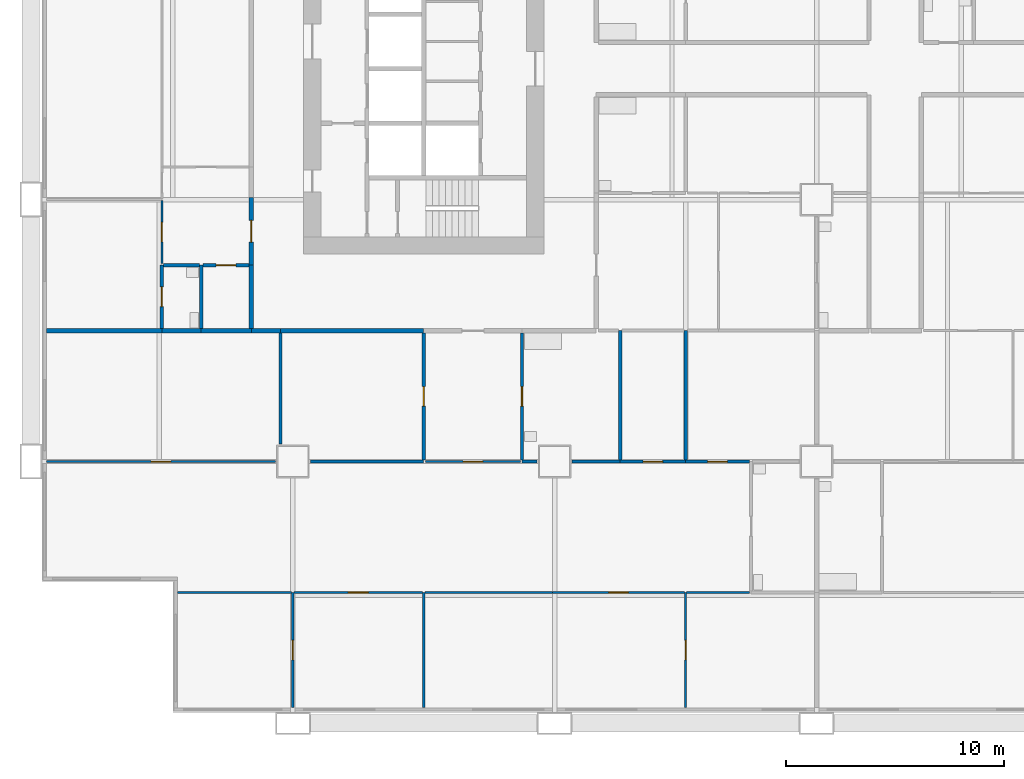
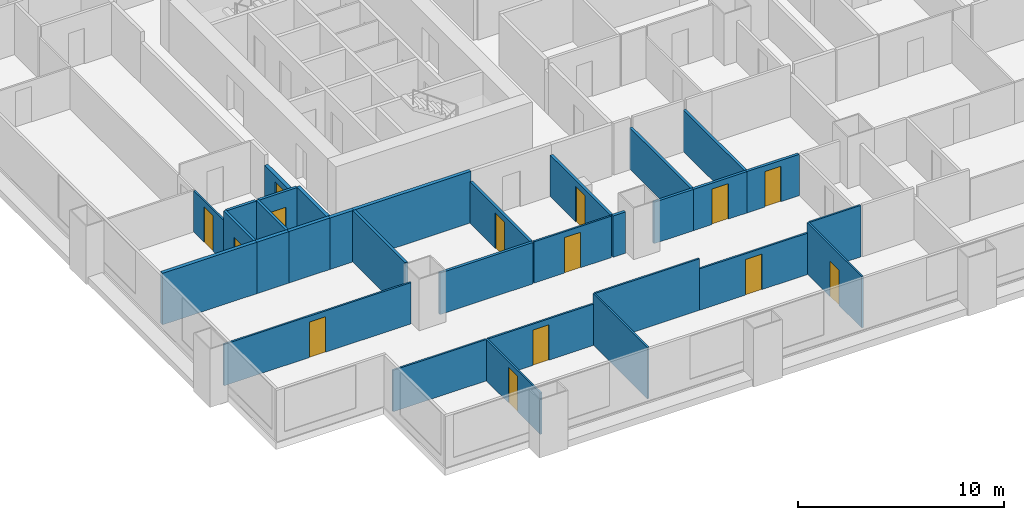
# One storey, part 2 of 13: 32 walls, 14 doors, 14 openings.
"""IFC4 building model written with IfcOpenShell, lengths in metres."""

from ifc_helpers import new_model, si_unit, direction, frame, frame_2d, origin, place, context, subcontext, project, spatial, rectangle, extrude, material, layer, layer_set, type_object, element, fill, save


model = new_model("IFC4")

# Units and contexts
model_context = context("Model", 3, precision=1e-05, world=origin(), true_north=direction((0.0, 1.0)))
body_context = subcontext(model_context, "Body", "Model", "MODEL_VIEW")
ifc_project = project(units=[si_unit("LENGTHUNIT", "METRE"), si_unit("AREAUNIT", "SQUARE_METRE"), si_unit("VOLUMEUNIT", "CUBIC_METRE"), si_unit("PLANEANGLEUNIT", "RADIAN"), si_unit("MASSUNIT", "GRAM", prefix="KILO")], contexts=[model_context])

# Site, building, storey
site_placement = place(None, origin())
site = spatial("IfcSite", under=ifc_project, at=site_placement, CompositionType="ELEMENT")
building_placement = place(site_placement, origin())
building = spatial("IfcBuilding", under=site, at=building_placement, Name="Kitamizu Gate Tower and Museum", CompositionType="ELEMENT")
storey_placement = place(building_placement, frame((0.0, 0.0, 78.300048828125)))
storey = spatial("IfcBuildingStorey", under=building, at=storey_placement, Name="L19", CompositionType="ELEMENT", Elevation=78.300048828125)

# Wall, opening, door
ifc_material_1 = material(Name="Gypsum board on galvanised stud")
ifc_layer_1 = layer(ifc_material_1, 0.10009765625)
ifc_layer_set_1 = layer_set([ifc_layer_1], Name="Gypsum board on galvanised stud")
wall_type_1 = type_object("IfcWallType", Name="Partition 100 NOT RATED", PredefinedType="PARTITIONING", material=ifc_layer_set_1)
wall_1_placement = place(storey_placement, frame((12.0, 0.719970703125, 0.0), z_axis=(0.0, 0.0, 1.0), x_axis=(0.0, 1.0, 0.0)))
wall_1 = element("IfcWall", 1, at=wall_1_placement, inside=storey, type_object=wall_type_1, Name="Partition L19-001", PredefinedType="PARTITIONING", context=body_context, shape_type="SweptSolid", body=[
    extrude(rectangle(XDim=5.280029296875, YDim=0.10009765625, at=frame_2d((2.64013671875, 0.0))), origin(), (0.0, 0.0, 1.0), 2.449951171875),
])
opening_1_placement = place(wall_1_placement, frame((2.18994140625, 0.0, 0.0)))
opening_1 = element("IfcOpeningElement", 2, at=opening_1_placement, cuts=wall_1, Name="Opening L19-005", PredefinedType="OPENING", context=body_context, shape_type="SweptSolid", body=[
    extrude(rectangle(XDim=0.89990234375, YDim=2.10009765625, at=frame_2d((0.449951171875, 1.050048828125))), frame((0.0, 0.06005859375, 0.0), z_axis=(0.0, -1.0, 0.0), x_axis=(1.0, 0.0, 0.0)), (0.0, 0.0, 1.0), 0.1201171875),
])
ifc_material_2 = material(Name="Timber door set", Category="wood")
door_type_1 = type_object("IfcDoorType", Name="Room door 900", OperationType="NOTDEFINED", PredefinedType="DOOR", material=ifc_material_2)
door_1_placement = place(opening_1_placement, origin())
door_1 = element("IfcDoor", 3, at=door_1_placement, inside=storey, type_object=door_type_1, Name="Door L19-005", OperationType="SINGLE_SWING_RIGHT", OverallHeight=2.10009765625, OverallWidth=0.89990234375, PredefinedType="DOOR", context=body_context, shape_type="SweptSolid", body=[
    extrude(rectangle(XDim=0.89990234375, YDim=2.10009765625, at=frame_2d((0.449951171875, 1.050048828125))), frame((0.0, 0.02490234375, 0.0), z_axis=(0.0, -1.0, 0.0), x_axis=(1.0, 0.0, 0.0)), (0.0, 0.0, 1.0), 0.050048828125),
])
fill(opening_1, door_1)

# Walls
wall_2_placement = place(storey_placement, frame((11.949951171875, 6.0, 0.0), z_axis=(0.0, 0.0, 1.0), x_axis=(-1.0, 0.0, 0.0)))
element("IfcWall", 4, at=wall_2_placement, inside=storey, type_object=wall_type_1, Name="Partition L19-002", PredefinedType="PARTITIONING", context=body_context, shape_type="SweptSolid", body=[
    extrude(rectangle(XDim=5.22998046875, YDim=0.10009765625, at=frame_2d((2.614990234375, 0.0))), origin(), (0.0, 0.0, 1.0), 2.449951171875),
])
wall_3_placement = place(storey_placement, frame((18.0, 0.719970703125, 0.0), z_axis=(0.0, 0.0, 1.0), x_axis=(0.0, 1.0, 0.0)))
element("IfcWall", 5, at=wall_3_placement, inside=storey, type_object=wall_type_1, Name="Partition L19-003", PredefinedType="PARTITIONING", context=body_context, shape_type="SweptSolid", body=[
    extrude(rectangle(XDim=5.280029296875, YDim=0.10009765625, at=frame_2d((2.64013671875, 0.0))), origin(), (0.0, 0.0, 1.0), 3.050048828125),
])

# Wall, opening, door
wall_4_placement = place(storey_placement, frame((17.949951171875, 6.0, 0.0), z_axis=(0.0, 0.0, 1.0), x_axis=(-1.0, 0.0, 0.0)))
wall_4 = element("IfcWall", 6, at=wall_4_placement, inside=storey, type_object=wall_type_1, Name="Partition L19-004", PredefinedType="PARTITIONING", context=body_context, shape_type="SweptSolid", body=[
    extrude(rectangle(XDim=5.89990234375, YDim=0.10009765625, at=frame_2d((2.949951171875, 0.0))), origin(), (0.0, 0.0, 1.0), 2.449951171875),
])
opening_2_placement = place(wall_4_placement, frame((2.5, 0.0, 0.0)))
opening_2 = element("IfcOpeningElement", 7, at=opening_2_placement, cuts=wall_4, Name="Opening L19-003", PredefinedType="OPENING", context=body_context, shape_type="SweptSolid", body=[
    extrude(rectangle(XDim=0.89990234375, YDim=2.10009765625, at=frame_2d((0.449951171875, 1.050048828125))), frame((0.0, 0.06005859375, 0.0), z_axis=(0.0, -1.0, 0.0), x_axis=(1.0, 0.0, 0.0)), (0.0, 0.0, 1.0), 0.1201171875),
])
door_2_placement = place(opening_2_placement, origin())
door_2 = element("IfcDoor", 8, at=door_2_placement, inside=storey, type_object=door_type_1, Name="Door L19-003", OperationType="SINGLE_SWING_RIGHT", OverallHeight=2.10009765625, OverallWidth=0.89990234375, PredefinedType="DOOR", context=body_context, shape_type="SweptSolid", body=[
    extrude(rectangle(XDim=0.89990234375, YDim=2.10009765625, at=frame_2d((0.449951171875, 1.050048828125))), frame((0.0, 0.02490234375, 0.0), z_axis=(0.0, -1.0, 0.0), x_axis=(1.0, 0.0, 0.0)), (0.0, 0.0, 1.0), 0.050048828125),
])
fill(opening_2, door_2)

wall_5_placement = place(storey_placement, frame((30.0, 0.719970703125, 0.0), z_axis=(0.0, 0.0, 1.0), x_axis=(0.0, 1.0, 0.0)))
wall_5 = element("IfcWall", 9, at=wall_5_placement, inside=storey, type_object=wall_type_1, Name="Partition L19-005", PredefinedType="PARTITIONING", context=body_context, shape_type="SweptSolid", body=[
    extrude(rectangle(XDim=5.280029296875, YDim=0.10009765625, at=frame_2d((2.64013671875, 0.0))), origin(), (0.0, 0.0, 1.0), 3.050048828125),
])
opening_3_placement = place(wall_5_placement, frame((2.18994140625, 0.0, 0.0)))
opening_3 = element("IfcOpeningElement", 10, at=opening_3_placement, cuts=wall_5, Name="Opening L19-006", PredefinedType="OPENING", context=body_context, shape_type="SweptSolid", body=[
    extrude(rectangle(XDim=0.89990234375, YDim=2.10009765625, at=frame_2d((0.449951171875, 1.050048828125))), frame((0.0, 0.06005859375, 0.0), z_axis=(0.0, -1.0, 0.0), x_axis=(1.0, 0.0, 0.0)), (0.0, 0.0, 1.0), 0.1201171875),
])
door_3_placement = place(opening_3_placement, frame((0.89990234375, 0.0, 0.0), x_axis=(-1.0, 0.0, 0.0)))
door_3 = element("IfcDoor", 11, at=door_3_placement, inside=storey, type_object=door_type_1, Name="Door L19-006", OperationType="SINGLE_SWING_RIGHT", OverallHeight=2.10009765625, OverallWidth=0.89990234375, PredefinedType="DOOR", context=body_context, shape_type="SweptSolid", body=[
    extrude(rectangle(XDim=0.89990234375, YDim=2.10009765625, at=frame_2d((0.449951171875, 1.050048828125))), frame((0.0, 0.02490234375, 0.0), z_axis=(0.0, -1.0, 0.0), x_axis=(1.0, 0.0, 0.0)), (0.0, 0.0, 1.0), 0.050048828125),
])
fill(opening_3, door_3)

wall_6_placement = place(storey_placement, frame((29.949951171875, 6.0, 0.0), z_axis=(0.0, 0.0, 1.0), x_axis=(-1.0, 0.0, 0.0)))
wall_6 = element("IfcWall", 12, at=wall_6_placement, inside=storey, type_object=wall_type_1, Name="Partition L19-006", PredefinedType="PARTITIONING", context=body_context, shape_type="SweptSolid", body=[
    extrude(rectangle(XDim=6.050048828125, YDim=0.10009765625, at=frame_2d((3.02490234375, 0.0))), origin(), (0.0, 0.0, 1.0), 2.449951171875),
])
opening_4_placement = place(wall_6_placement, frame((2.574951171875, 0.0, 0.0)))
opening_4 = element("IfcOpeningElement", 13, at=opening_4_placement, cuts=wall_6, Name="Opening L19-004", PredefinedType="OPENING", context=body_context, shape_type="SweptSolid", body=[
    extrude(rectangle(XDim=0.89990234375, YDim=2.10009765625, at=frame_2d((0.449951171875, 1.050048828125))), frame((0.0, 0.06005859375, 0.0), z_axis=(0.0, -1.0, 0.0), x_axis=(1.0, 0.0, 0.0)), (0.0, 0.0, 1.0), 0.1201171875),
])
door_4_placement = place(opening_4_placement, origin())
door_4 = element("IfcDoor", 14, at=door_4_placement, inside=storey, type_object=door_type_1, Name="Door L19-004", OperationType="SINGLE_SWING_LEFT", OverallHeight=2.10009765625, OverallWidth=0.89990234375, PredefinedType="DOOR", context=body_context, shape_type="SweptSolid", body=[
    extrude(rectangle(XDim=0.89990234375, YDim=2.10009765625, at=frame_2d((0.449951171875, 1.050048828125))), frame((0.0, 0.02490234375, 0.0), z_axis=(0.0, -1.0, 0.0), x_axis=(1.0, 0.0, 0.0)), (0.0, 0.0, 1.0), 0.050048828125),
])
fill(opening_4, door_4)

# Walls
wall_7_placement = place(storey_placement, frame((23.89990234375, 6.0, 0.0), z_axis=(0.0, 0.0, 1.0), x_axis=(-1.0, 0.0, 0.0)))
element("IfcWall", 15, at=wall_7_placement, inside=storey, type_object=wall_type_1, Name="Partition L19-007", PredefinedType="PARTITIONING", context=body_context, shape_type="SweptSolid", body=[
    extrude(rectangle(XDim=5.849853515625, YDim=0.10009765625, at=frame_2d((2.9248046875, 0.0))), origin(), (0.0, 0.0, 1.0), 3.050048828125),
])
wall_8_placement = place(storey_placement, frame((32.925048828125, 6.0, 0.0), z_axis=(0.0, 0.0, 1.0), x_axis=(-1.0, 0.0, 0.0)))
element("IfcWall", 16, at=wall_8_placement, inside=storey, type_object=wall_type_1, Name="Partition L19-008", PredefinedType="PARTITIONING", context=body_context, shape_type="SweptSolid", body=[
    extrude(rectangle(XDim=2.875, YDim=0.10009765625, at=frame_2d((1.4375, 0.0))), origin(), (0.0, 0.0, 1.0), 3.050048828125),
])

# Wall, opening, door
wall_9_placement = place(storey_placement, frame((11.199951171875, 12.0, 0.0), z_axis=(0.0, 0.0, 1.0), x_axis=(-1.0, 0.0, 0.0)))
wall_9 = element("IfcWall", 17, at=wall_9_placement, inside=storey, type_object=wall_type_1, Name="Partition L19-012", PredefinedType="PARTITIONING", context=body_context, shape_type="SweptSolid", body=[
    extrude(rectangle(XDim=10.47998046875, YDim=0.10009765625, at=frame_2d((5.239990234375, 0.0))), origin(), (0.0, 0.0, 1.0), 2.449951171875),
])
opening_5_placement = place(wall_9_placement, frame((4.7900390625, 0.0, 0.0)))
opening_5 = element("IfcOpeningElement", 18, at=opening_5_placement, cuts=wall_9, Name="Opening L19-008", PredefinedType="OPENING", context=body_context, shape_type="SweptSolid", body=[
    extrude(rectangle(XDim=0.89990234375, YDim=2.10009765625, at=frame_2d((0.449951171875, 1.050048828125))), frame((0.0, 0.06005859375, 0.0), z_axis=(0.0, -1.0, 0.0), x_axis=(1.0, 0.0, 0.0)), (0.0, 0.0, 1.0), 0.1201171875),
])
door_5_placement = place(opening_5_placement, frame((0.89990234375, 0.0, 0.0), x_axis=(-1.0, 0.0, 0.0)))
door_5 = element("IfcDoor", 19, at=door_5_placement, inside=storey, type_object=door_type_1, Name="Door L19-008", OperationType="SINGLE_SWING_RIGHT", OverallHeight=2.10009765625, OverallWidth=0.89990234375, PredefinedType="DOOR", context=body_context, shape_type="SweptSolid", body=[
    extrude(rectangle(XDim=0.89990234375, YDim=2.10009765625, at=frame_2d((0.449951171875, 1.050048828125))), frame((0.0, 0.02490234375, 0.0), z_axis=(0.0, -1.0, 0.0), x_axis=(1.0, 0.0, 0.0)), (0.0, 0.0, 1.0), 0.050048828125),
])
fill(opening_5, door_5)

wall_10_placement = place(storey_placement, frame((22.425048828125, 12.0, 0.0), z_axis=(0.0, 0.0, 1.0), x_axis=(-1.0, 0.0, 0.0)))
wall_10 = element("IfcWall", 20, at=wall_10_placement, inside=storey, type_object=wall_type_1, Name="Partition L19-014", PredefinedType="PARTITIONING", context=body_context, shape_type="SweptSolid", body=[
    extrude(rectangle(XDim=4.35009765625, YDim=0.10009765625, at=frame_2d((2.175048828125, 0.0))), origin(), (0.0, 0.0, 1.0), 2.449951171875),
])
opening_6_placement = place(wall_10_placement, frame((1.72509765625, 0.0, 0.0)))
opening_6 = element("IfcOpeningElement", 21, at=opening_6_placement, cuts=wall_10, Name="Opening L19-002", PredefinedType="OPENING", context=body_context, shape_type="SweptSolid", body=[
    extrude(rectangle(XDim=0.89990234375, YDim=2.10009765625, at=frame_2d((0.449951171875, 1.050048828125))), frame((0.0, 0.06005859375, 0.0), z_axis=(0.0, -1.0, 0.0), x_axis=(1.0, 0.0, 0.0)), (0.0, 0.0, 1.0), 0.1201171875),
])
door_6_placement = place(opening_6_placement, frame((0.89990234375, 0.0, 0.0), x_axis=(-1.0, 0.0, 0.0)))
door_6 = element("IfcDoor", 22, at=door_6_placement, inside=storey, type_object=door_type_1, Name="Door L19-002", OperationType="SINGLE_SWING_RIGHT", OverallHeight=2.10009765625, OverallWidth=0.89990234375, PredefinedType="DOOR", context=body_context, shape_type="SweptSolid", body=[
    extrude(rectangle(XDim=0.89990234375, YDim=2.10009765625, at=frame_2d((0.449951171875, 1.050048828125))), frame((0.0, 0.02490234375, 0.0), z_axis=(0.0, -1.0, 0.0), x_axis=(1.0, 0.0, 0.0)), (0.0, 0.0, 1.0), 0.050048828125),
])
fill(opening_6, door_6)

wall_11_placement = place(storey_placement, frame((6.0, 21.074951171875, 0.0), z_axis=(0.0, 0.0, 1.0), x_axis=(0.0, 1.0, 0.0)))
wall_11 = element("IfcWall", 23, at=wall_11_placement, inside=storey, type_object=wall_type_1, Name="Partition L19-056", PredefinedType="PARTITIONING", context=body_context, shape_type="SweptSolid", body=[
    extrude(rectangle(XDim=2.875, YDim=0.10009765625, at=frame_2d((1.4375, 0.0))), origin(), (0.0, 0.0, 1.0), 2.449951171875),
])
opening_7_placement = place(wall_11_placement, frame((0.987548828125, 0.0, 0.0)))
opening_7 = element("IfcOpeningElement", 24, at=opening_7_placement, cuts=wall_11, Name="Opening L19-019", PredefinedType="OPENING", context=body_context, shape_type="SweptSolid", body=[
    extrude(rectangle(XDim=0.89990234375, YDim=2.10009765625, at=frame_2d((0.449951171875, 1.050048828125))), frame((0.0, 0.06005859375, 0.0), z_axis=(0.0, -1.0, 0.0), x_axis=(1.0, 0.0, 0.0)), (0.0, 0.0, 1.0), 0.1201171875),
])
door_7_placement = place(opening_7_placement, origin())
door_7 = element("IfcDoor", 25, at=door_7_placement, inside=storey, type_object=door_type_1, Name="Door L19-019", OperationType="SINGLE_SWING_LEFT", OverallHeight=2.10009765625, OverallWidth=0.89990234375, PredefinedType="DOOR", context=body_context, shape_type="SweptSolid", body=[
    extrude(rectangle(XDim=0.89990234375, YDim=2.10009765625, at=frame_2d((0.449951171875, 1.050048828125))), frame((0.0, 0.02490234375, 0.0), z_axis=(0.0, -1.0, 0.0), x_axis=(1.0, 0.0, 0.0)), (0.0, 0.0, 1.0), 0.050048828125),
])
fill(opening_7, door_7)

# Walls
ifc_material_3 = material(Name="Gypsum board on galvanised stud")
ifc_layer_2 = layer(ifc_material_3, 0.14990234375)
ifc_layer_set_2 = layer_set([ifc_layer_2], Name="Gypsum board on galvanised stud")
wall_type_2 = type_object("IfcWallType", Name="Partition 150", PredefinedType="PARTITIONING", material=ifc_layer_set_2)
wall_12_placement = place(storey_placement, frame((18.0, 12.0, 0.0), z_axis=(0.0, 0.0, 1.0), x_axis=(-1.0, 0.0, 0.0)))
element("IfcWall", 26, at=wall_12_placement, inside=storey, type_object=wall_type_2, Name="Partition L19-013", PredefinedType="PARTITIONING", context=body_context, shape_type="SweptSolid", body=[
    extrude(rectangle(XDim=5.199951171875, YDim=0.14990234375, at=frame_2d((2.60009765625, 0.0))), origin(), (0.0, 0.0, 1.0), 2.449951171875),
])
wall_13_placement = place(storey_placement, frame((23.199951171875, 12.0, 0.0), z_axis=(0.0, 0.0, 1.0), x_axis=(-1.0, 0.0, 0.0)))
element("IfcWall", 27, at=wall_13_placement, inside=storey, type_object=wall_type_2, Name="Partition L19-015", PredefinedType="PARTITIONING", context=body_context, shape_type="SweptSolid", body=[
    extrude(rectangle(XDim=0.699951171875, YDim=0.14990234375, at=frame_2d((0.35009765625, 0.0))), origin(), (0.0, 0.0, 1.0), 2.449951171875),
])
wall_14_placement = place(storey_placement, frame((27.0, 12.0, 0.0), z_axis=(0.0, 0.0, 1.0), x_axis=(-1.0, 0.0, 0.0)))
element("IfcWall", 28, at=wall_14_placement, inside=storey, type_object=wall_type_2, Name="Partition L19-016", PredefinedType="PARTITIONING", context=body_context, shape_type="SweptSolid", body=[
    extrude(rectangle(XDim=2.199951171875, YDim=0.14990234375, at=frame_2d((1.10009765625, 0.0))), origin(), (0.0, 0.0, 1.0), 2.449951171875),
])

# Wall, opening, door
wall_15_placement = place(storey_placement, frame((30.0, 12.0, 0.0), z_axis=(0.0, 0.0, 1.0), x_axis=(-1.0, 0.0, 0.0)))
wall_15 = element("IfcWall", 29, at=wall_15_placement, inside=storey, type_object=wall_type_2, Name="Partition L19-017", PredefinedType="PARTITIONING", context=body_context, shape_type="SweptSolid", body=[
    extrude(rectangle(XDim=3.0, YDim=0.14990234375, at=frame_2d((1.5, 0.0))), origin(), (0.0, 0.0, 1.0), 2.449951171875),
])
opening_8_placement = place(wall_15_placement, frame((1.050048828125, 0.0, 0.0)))
opening_8 = element("IfcOpeningElement", 30, at=opening_8_placement, cuts=wall_15, Name="Opening L19-011", PredefinedType="OPENING", context=body_context, shape_type="SweptSolid", body=[
    extrude(rectangle(XDim=0.89990234375, YDim=2.10009765625, at=frame_2d((0.449951171875, 1.050048828125))), frame((0.0, 0.0849609375, 0.0), z_axis=(0.0, -1.0, 0.0), x_axis=(1.0, 0.0, 0.0)), (0.0, 0.0, 1.0), 0.169921875),
])
ifc_material_4 = material(Name="Timber door set", Category="wood")
door_type_2 = type_object("IfcDoorType", Name="Bathroom door 900", OperationType="NOTDEFINED", PredefinedType="DOOR", material=ifc_material_4)
door_8_placement = place(opening_8_placement, frame((0.89990234375, 0.0, 0.0), x_axis=(-1.0, 0.0, 0.0)))
door_8 = element("IfcDoor", 31, at=door_8_placement, inside=storey, type_object=door_type_2, Name="Bathroom door L19-011", OperationType="SINGLE_SWING_LEFT", OverallHeight=2.10009765625, OverallWidth=0.89990234375, PredefinedType="DOOR", context=body_context, shape_type="SweptSolid", body=[
    extrude(rectangle(XDim=0.89990234375, YDim=2.10009765625, at=frame_2d((0.449951171875, 1.050048828125))), frame((0.0, 0.02490234375, 0.0), z_axis=(0.0, -1.0, 0.0), x_axis=(1.0, 0.0, 0.0)), (0.0, 0.0, 1.0), 0.050048828125),
])
fill(opening_8, door_8)

wall_16_placement = place(storey_placement, frame((32.925048828125, 12.0, 0.0), z_axis=(0.0, 0.0, 1.0), x_axis=(-1.0, 0.0, 0.0)))
wall_16 = element("IfcWall", 32, at=wall_16_placement, inside=storey, type_object=wall_type_2, Name="Partition L19-018", PredefinedType="PARTITIONING", context=body_context, shape_type="SweptSolid", body=[
    extrude(rectangle(XDim=2.925048828125, YDim=0.14990234375, at=frame_2d((1.46240234375, 0.0))), origin(), (0.0, 0.0, 1.0), 2.449951171875),
])
opening_9_placement = place(wall_16_placement, frame((1.012451171875, 0.0, 0.0)))
opening_9 = element("IfcOpeningElement", 33, at=opening_9_placement, cuts=wall_16, Name="Opening L19-012", PredefinedType="OPENING", context=body_context, shape_type="SweptSolid", body=[
    extrude(rectangle(XDim=0.89990234375, YDim=2.10009765625, at=frame_2d((0.449951171875, 1.050048828125))), frame((0.0, 0.0849609375, 0.0), z_axis=(0.0, -1.0, 0.0), x_axis=(1.0, 0.0, 0.0)), (0.0, 0.0, 1.0), 0.169921875),
])
door_9_placement = place(opening_9_placement, frame((0.89990234375, 0.0, 0.0), x_axis=(-1.0, 0.0, 0.0)))
door_9 = element("IfcDoor", 34, at=door_9_placement, inside=storey, type_object=door_type_2, Name="Bathroom door L19-012", OperationType="SINGLE_SWING_RIGHT", OverallHeight=2.10009765625, OverallWidth=0.89990234375, PredefinedType="DOOR", context=body_context, shape_type="SweptSolid", body=[
    extrude(rectangle(XDim=0.89990234375, YDim=2.10009765625, at=frame_2d((0.449951171875, 1.050048828125))), frame((0.0, 0.02490234375, 0.0), z_axis=(0.0, -1.0, 0.0), x_axis=(1.0, 0.0, 0.0)), (0.0, 0.0, 1.0), 0.050048828125),
])
fill(opening_9, door_9)

# Wall
wall_17_placement = place(storey_placement, frame((11.43408203125, 12.800048828125, 0.0), z_axis=(0.0, 0.0, 1.0), x_axis=(0.0, 1.0, 0.0)))
element("IfcWall", 35, at=wall_17_placement, inside=storey, type_object=wall_type_2, Name="Partition L19-021", PredefinedType="PARTITIONING", context=body_context, shape_type="SweptSolid", body=[
    extrude(rectangle(XDim=5.099853515625, YDim=0.14990234375, at=frame_2d((2.5498046875, 0.0))), origin(), (0.0, 0.0, 1.0), 3.050048828125),
])

# Wall, opening, door
wall_18_placement = place(storey_placement, frame((18.0, 12.074951171875, 0.0), z_axis=(0.0, 0.0, 1.0), x_axis=(0.0, 1.0, 0.0)))
wall_18 = element("IfcWall", 36, at=wall_18_placement, inside=storey, type_object=wall_type_2, Name="Partition L19-026", PredefinedType="PARTITIONING", context=body_context, shape_type="SweptSolid", body=[
    extrude(rectangle(XDim=5.824951171875, YDim=0.14990234375, at=frame_2d((2.91259765625, 0.0))), origin(), (0.0, 0.0, 1.0), 2.449951171875),
])
opening_10_placement = place(wall_18_placement, frame((2.46240234375, 0.0, 0.0)))
opening_10 = element("IfcOpeningElement", 37, at=opening_10_placement, cuts=wall_18, Name="Opening L19-009", PredefinedType="OPENING", context=body_context, shape_type="SweptSolid", body=[
    extrude(rectangle(XDim=0.89990234375, YDim=2.10009765625, at=frame_2d((0.449951171875, 1.050048828125))), frame((0.0, 0.0849609375, 0.0), z_axis=(0.0, -1.0, 0.0), x_axis=(1.0, 0.0, 0.0)), (0.0, 0.0, 1.0), 0.169921875),
])
door_10_placement = place(opening_10_placement, origin())
door_10 = element("IfcDoor", 38, at=door_10_placement, inside=storey, type_object=door_type_2, Name="Bathroom door L19-009", OperationType="SINGLE_SWING_RIGHT", OverallHeight=2.10009765625, OverallWidth=0.89990234375, PredefinedType="DOOR", context=body_context, shape_type="SweptSolid", body=[
    extrude(rectangle(XDim=0.89990234375, YDim=2.10009765625, at=frame_2d((0.449951171875, 1.050048828125))), frame((0.0, 0.02490234375, 0.0), z_axis=(0.0, -1.0, 0.0), x_axis=(1.0, 0.0, 0.0)), (0.0, 0.0, 1.0), 0.050048828125),
])
fill(opening_10, door_10)

wall_19_placement = place(storey_placement, frame((22.5, 12.074951171875, 0.0), z_axis=(0.0, 0.0, 1.0), x_axis=(0.0, 1.0, 0.0)))
wall_19 = element("IfcWall", 39, at=wall_19_placement, inside=storey, type_object=wall_type_2, Name="Partition L19-028", PredefinedType="PARTITIONING", context=body_context, shape_type="SweptSolid", body=[
    extrude(rectangle(XDim=5.824951171875, YDim=0.14990234375, at=frame_2d((2.91259765625, 0.0))), origin(), (0.0, 0.0, 1.0), 2.449951171875),
])
opening_11_placement = place(wall_19_placement, frame((2.46240234375, 0.0, 0.0)))
opening_11 = element("IfcOpeningElement", 40, at=opening_11_placement, cuts=wall_19, Name="Opening L19-010", PredefinedType="OPENING", context=body_context, shape_type="SweptSolid", body=[
    extrude(rectangle(XDim=0.89990234375, YDim=2.10009765625, at=frame_2d((0.449951171875, 1.050048828125))), frame((0.0, 0.0849609375, 0.0), z_axis=(0.0, -1.0, 0.0), x_axis=(1.0, 0.0, 0.0)), (0.0, 0.0, 1.0), 0.169921875),
])
door_11_placement = place(opening_11_placement, frame((0.89990234375, 0.0, 0.0), x_axis=(-1.0, 0.0, 0.0)))
door_11 = element("IfcDoor", 41, at=door_11_placement, inside=storey, type_object=door_type_2, Name="Bathroom door L19-010", OperationType="SINGLE_SWING_RIGHT", OverallHeight=2.10009765625, OverallWidth=0.89990234375, PredefinedType="DOOR", context=body_context, shape_type="SweptSolid", body=[
    extrude(rectangle(XDim=0.89990234375, YDim=2.10009765625, at=frame_2d((0.449951171875, 1.050048828125))), frame((0.0, 0.02490234375, 0.0), z_axis=(0.0, -1.0, 0.0), x_axis=(1.0, 0.0, 0.0)), (0.0, 0.0, 1.0), 0.050048828125),
])
fill(opening_11, door_11)

# Walls
for number, where, z_axis, x_axis, name in (
    (42, (27.0, 12.074951171875, 0.0), (0.0, 0.0, 1.0), (0.0, 1.0, 0.0), "Partition L19-030"),
    (43, (30.0, 12.074951171875, 0.0), (0.0, 0.0, 1.0), (0.0, 1.0, 0.0), "Partition L19-033"),
):
    element("IfcWall", number, at=place(storey_placement, frame(where, z_axis=z_axis, x_axis=x_axis)), inside=storey, type_object=wall_type_2, Name=name, PredefinedType="PARTITIONING", context=body_context, shape_type="SweptSolid", body=[
        extrude(rectangle(XDim=5.925048828125, YDim=0.14990234375, at=frame_2d((2.96240234375, 0.0))), origin(), (0.0, 0.0, 1.0), 2.449951171875),
    ])

# Wall, opening, door
wall_20_placement = place(storey_placement, frame((6.0, 18.10009765625, 0.0), z_axis=(0.0, 0.0, 1.0), x_axis=(0.0, 1.0, 0.0)))
wall_20 = element("IfcWall", 44, at=wall_20_placement, inside=storey, type_object=wall_type_2, Name="Partition L19-055", PredefinedType="PARTITIONING", context=body_context, shape_type="SweptSolid", body=[
    extrude(rectangle(XDim=2.89990234375, YDim=0.14990234375, at=frame_2d((1.449951171875, 0.0))), origin(), (0.0, 0.0, 1.0), 3.050048828125),
])
opening_12_placement = place(wall_20_placement, frame((1.0, 0.0, 0.0)))
opening_12 = element("IfcOpeningElement", 45, at=opening_12_placement, cuts=wall_20, Name="Opening L19-023", PredefinedType="OPENING", context=body_context, shape_type="SweptSolid", body=[
    extrude(rectangle(XDim=0.89990234375, YDim=2.10009765625, at=frame_2d((0.449951171875, 1.050048828125))), frame((0.0, 0.0849609375, 0.0), z_axis=(0.0, -1.0, 0.0), x_axis=(1.0, 0.0, 0.0)), (0.0, 0.0, 1.0), 0.169921875),
])
door_12_placement = place(opening_12_placement, frame((0.89990234375, 0.0, 0.0), x_axis=(-1.0, 0.0, 0.0)))
door_12 = element("IfcDoor", 46, at=door_12_placement, inside=storey, type_object=door_type_2, Name="Bathroom door L19-023", OperationType="SINGLE_SWING_LEFT", OverallHeight=2.10009765625, OverallWidth=0.89990234375, PredefinedType="DOOR", context=body_context, shape_type="SweptSolid", body=[
    extrude(rectangle(XDim=0.89990234375, YDim=2.10009765625, at=frame_2d((0.449951171875, 1.050048828125))), frame((0.0, 0.02490234375, 0.0), z_axis=(0.0, -1.0, 0.0), x_axis=(1.0, 0.0, 0.0)), (0.0, 0.0, 1.0), 0.050048828125),
])
fill(opening_12, door_12)

# Walls
wall_21_placement = place(storey_placement, frame((7.800048828125, 18.10009765625, 0.0), z_axis=(0.0, 0.0, 1.0), x_axis=(0.0, 1.0, 0.0)))
element("IfcWall", 47, at=wall_21_placement, inside=storey, type_object=wall_type_2, Name="Partition L19-062", PredefinedType="PARTITIONING", context=body_context, shape_type="SweptSolid", body=[
    extrude(rectangle(XDim=2.89990234375, YDim=0.14990234375, at=frame_2d((1.449951171875, 0.0))), origin(), (0.0, 0.0, 1.0), 3.050048828125),
])
wall_22_placement = place(storey_placement, frame((7.72509765625, 21.0, 0.0), z_axis=(0.0, 0.0, 1.0), x_axis=(-1.0, 0.0, 0.0)))
element("IfcWall", 48, at=wall_22_placement, inside=storey, type_object=wall_type_2, Name="Partition L19-063", PredefinedType="PARTITIONING", context=body_context, shape_type="SweptSolid", body=[
    extrude(rectangle(XDim=1.650146484375, YDim=0.14990234375, at=frame_2d((0.8251953125, 0.0))), origin(), (0.0, 0.0, 1.0), 3.050048828125),
])

# Wall, opening, door
wall_23_placement = place(storey_placement, frame((10.0, 21.0, 0.0), z_axis=(0.0, 0.0, 1.0), x_axis=(-1.0, 0.0, 0.0)))
wall_23 = element("IfcWall", 49, at=wall_23_placement, inside=storey, type_object=wall_type_2, Name="Partition L19-064", PredefinedType="PARTITIONING", context=body_context, shape_type="SweptSolid", body=[
    extrude(rectangle(XDim=2.125, YDim=0.14990234375, at=frame_2d((1.0625, 0.0))), origin(), (0.0, 0.0, 1.0), 3.050048828125),
])
opening_13_placement = place(wall_23_placement, frame((0.612548828125, 0.0, 0.0)))
opening_13 = element("IfcOpeningElement", 50, at=opening_13_placement, cuts=wall_23, Name="Opening L19-024", PredefinedType="OPENING", context=body_context, shape_type="SweptSolid", body=[
    extrude(rectangle(XDim=0.89990234375, YDim=2.10009765625, at=frame_2d((0.449951171875, 1.050048828125))), frame((0.0, 0.0849609375, 0.0), z_axis=(0.0, -1.0, 0.0), x_axis=(1.0, 0.0, 0.0)), (0.0, 0.0, 1.0), 0.169921875),
])
door_13_placement = place(opening_13_placement, origin())
door_13 = element("IfcDoor", 51, at=door_13_placement, inside=storey, type_object=door_type_2, Name="Bathroom door L19-024", OperationType="SINGLE_SWING_LEFT", OverallHeight=2.10009765625, OverallWidth=0.89990234375, PredefinedType="DOOR", context=body_context, shape_type="SweptSolid", body=[
    extrude(rectangle(XDim=0.89990234375, YDim=2.10009765625, at=frame_2d((0.449951171875, 1.050048828125))), frame((0.0, 0.02490234375, 0.0), z_axis=(0.0, -1.0, 0.0), x_axis=(1.0, 0.0, 0.0)), (0.0, 0.0, 1.0), 0.050048828125),
])
fill(opening_13, door_13)

# Walls
ifc_material_5 = material(Name="Gypsum board on galvanised stud")
ifc_layer_3 = layer(ifc_material_5, 0.199951171875)
ifc_layer_set_3 = layer_set([ifc_layer_3], Name="Gypsum board on galvanised stud")
wall_type_3 = type_object("IfcWallType", Name="Partition 200", PredefinedType="PARTITIONING", material=ifc_layer_set_3)
wall_24_placement = place(storey_placement, frame((6.0, 18.0, 0.0), z_axis=(0.0, 0.0, 1.0), x_axis=(-1.0, 0.0, 0.0)))
element("IfcWall", 52, at=wall_24_placement, inside=storey, type_object=wall_type_3, Name="Partition L19-022", PredefinedType="PARTITIONING", context=body_context, shape_type="SweptSolid", body=[
    extrude(rectangle(XDim=5.280029296875, YDim=0.199951171875, at=frame_2d((2.64013671875, 0.0))), origin(), (0.0, 0.0, 1.0), 3.050048828125),
])
wall_25_placement = place(storey_placement, frame((7.800048828125, 18.0, 0.0), z_axis=(0.0, 0.0, 1.0), x_axis=(-1.0, 0.0, 0.0)))
element("IfcWall", 53, at=wall_25_placement, inside=storey, type_object=wall_type_3, Name="Partition L19-023", PredefinedType="PARTITIONING", context=body_context, shape_type="SweptSolid", body=[
    extrude(rectangle(XDim=1.800048828125, YDim=0.199951171875, at=frame_2d((0.89990234375, 0.0))), origin(), (0.0, 0.0, 1.0), 3.050048828125),
])
wall_26_placement = place(storey_placement, frame((10.10009765625, 18.0, 0.0), z_axis=(0.0, 0.0, 1.0), x_axis=(-1.0, 0.0, 0.0)))
element("IfcWall", 54, at=wall_26_placement, inside=storey, type_object=wall_type_3, Name="Partition L19-024", PredefinedType="PARTITIONING", context=body_context, shape_type="SweptSolid", body=[
    extrude(rectangle(XDim=2.300048828125, YDim=0.199951171875, at=frame_2d((1.14990234375, 0.0))), origin(), (0.0, 0.0, 1.0), 3.050048828125),
])
wall_27_placement = place(storey_placement, frame((11.43408203125, 18.0, 0.0), z_axis=(0.0, 0.0, 1.0), x_axis=(-1.0, 0.0, 0.0)))
element("IfcWall", 55, at=wall_27_placement, inside=storey, type_object=wall_type_3, Name="Partition L19-025", PredefinedType="PARTITIONING", context=body_context, shape_type="SweptSolid", body=[
    extrude(rectangle(XDim=1.333984375, YDim=0.199951171875, at=frame_2d((0.6669921875, 0.0))), origin(), (0.0, 0.0, 1.0), 3.050048828125),
])
wall_28_placement = place(storey_placement, frame((18.0, 18.0, 0.0), z_axis=(0.0, 0.0, 1.0), x_axis=(-1.0, 0.0, 0.0)))
element("IfcWall", 56, at=wall_28_placement, inside=storey, type_object=wall_type_3, Name="Partition L19-027", PredefinedType="PARTITIONING", context=body_context, shape_type="SweptSolid", body=[
    extrude(rectangle(XDim=6.56591796875, YDim=0.199951171875, at=frame_2d((3.282958984375, 0.0))), origin(), (0.0, 0.0, 1.0), 3.050048828125),
])
wall_29_placement = place(storey_placement, frame((10.10009765625, 18.10009765625, 0.0), z_axis=(0.0, 0.0, 1.0), x_axis=(0.0, 1.0, 0.0)))
element("IfcWall", 57, at=wall_29_placement, inside=storey, type_object=wall_type_3, Name="Partition L19-065", PredefinedType="PARTITIONING", context=body_context, shape_type="SweptSolid", body=[
    extrude(rectangle(XDim=2.89990234375, YDim=0.199951171875, at=frame_2d((1.449951171875, 0.0))), origin(), (0.0, 0.0, 1.0), 3.050048828125),
])

# Wall, opening, door
wall_30_placement = place(storey_placement, frame((10.10009765625, 21.0, 0.0), z_axis=(0.0, 0.0, 1.0), x_axis=(0.0, 1.0, 0.0)))
wall_30 = element("IfcWall", 58, at=wall_30_placement, inside=storey, type_object=wall_type_3, Name="Partition L19-067", PredefinedType="PARTITIONING", context=body_context, shape_type="SweptSolid", body=[
    extrude(rectangle(XDim=3.10009765625, YDim=0.199951171875, at=frame_2d((1.550048828125, 0.0))), origin(), (0.0, 0.0, 1.0), 2.449951171875),
])
opening_14_placement = place(wall_30_placement, frame((1.050048828125, 0.0, 0.0)))
opening_14 = element("IfcOpeningElement", 59, at=opening_14_placement, cuts=wall_30, Name="Opening L19-018", PredefinedType="OPENING", context=body_context, shape_type="SweptSolid", body=[
    extrude(rectangle(XDim=1.0, YDim=2.10009765625, at=frame_2d((0.5, 1.050048828125))), frame((0.0, 0.10986328125, 0.0), z_axis=(0.0, -1.0, 0.0), x_axis=(1.0, 0.0, 0.0)), (0.0, 0.0, 1.0), 0.219970703125),
])
ifc_material_6 = material(Name="Timber door set", Category="wood")
door_type_3 = type_object("IfcDoorType", Name="Flat entrance door 1000", OperationType="NOTDEFINED", PredefinedType="DOOR", material=ifc_material_6)
door_14_placement = place(opening_14_placement, origin())
door_14 = element("IfcDoor", 60, at=door_14_placement, inside=storey, type_object=door_type_3, Name="Flat entrance door L19-018", OperationType="SINGLE_SWING_RIGHT", OverallHeight=2.10009765625, OverallWidth=1.0, PredefinedType="DOOR", context=body_context, shape_type="SweptSolid", body=[
    extrude(rectangle(XDim=1.0, YDim=2.10009765625, at=frame_2d((0.5, 1.050048828125))), frame((0.0, 0.02490234375, 0.0), z_axis=(0.0, -1.0, 0.0), x_axis=(1.0, 0.0, 0.0)), (0.0, 0.0, 1.0), 0.050048828125),
])
fill(opening_14, door_14)

save(model, "model.ifc")
